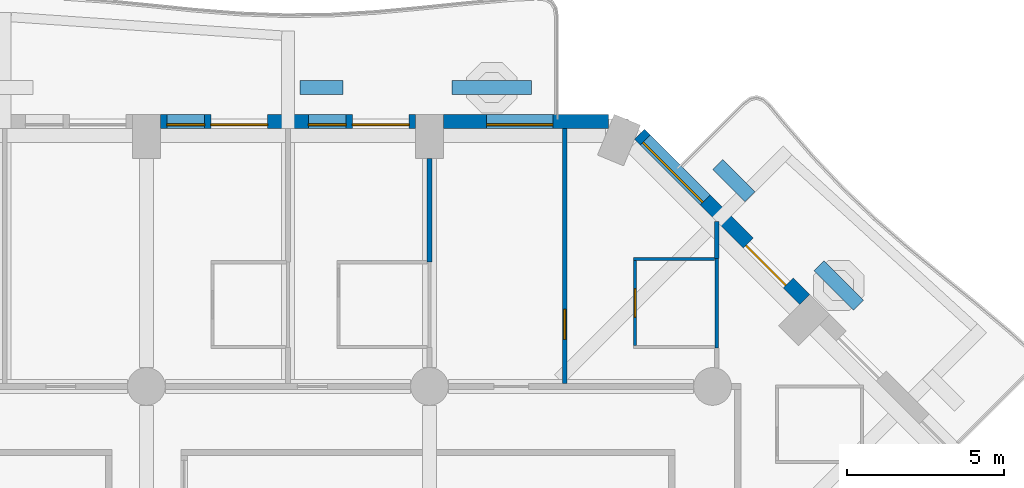
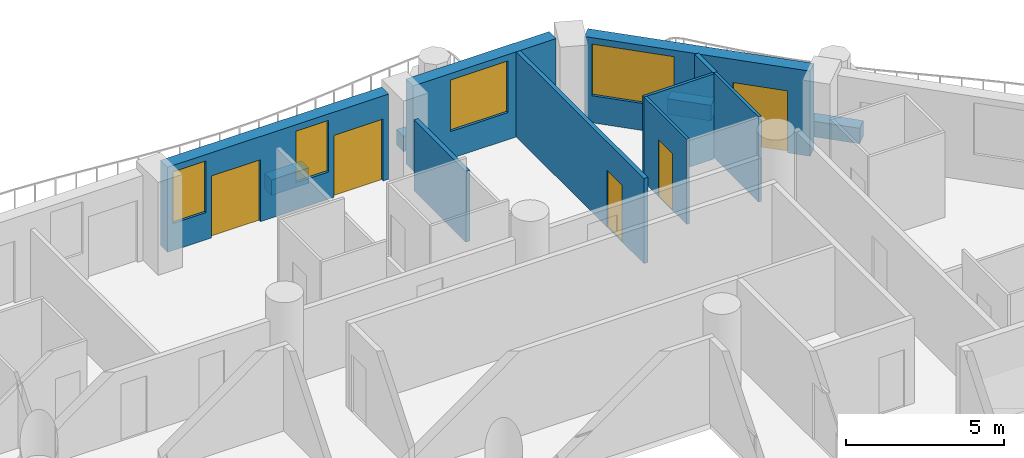
# One storey, part 10 of 20: 13 walls, 5 doors, 4 windows, 9 openings.
"""IFC4 building model written with IfcOpenShell, lengths in metres."""

from ifc_helpers import new_model, si_unit, direction, frame, frame_2d, origin, place, context, subcontext, project, spatial, rectangle, extrude, material, layer, layer_set, type_object, element, fill, save


model = new_model("IFC4")

# Units and contexts
model_context = context("Model", 3, precision=1e-05, world=origin(), true_north=direction((0.0, 1.0)))
body_context = subcontext(model_context, "Body", "Model", "MODEL_VIEW")
ifc_project = project(units=[si_unit("LENGTHUNIT", "METRE"), si_unit("AREAUNIT", "SQUARE_METRE"), si_unit("VOLUMEUNIT", "CUBIC_METRE"), si_unit("PLANEANGLEUNIT", "RADIAN"), si_unit("MASSUNIT", "GRAM", prefix="KILO")], contexts=[model_context])

# Site, building, storey
site_placement = place(None, origin())
site = spatial("IfcSite", under=ifc_project, at=site_placement, CompositionType="ELEMENT")
building_placement = place(site_placement, origin())
building = spatial("IfcBuilding", under=site, at=building_placement, Name="Cypress Arch Tower", CompositionType="ELEMENT")
storey_placement = place(building_placement, frame((0.0, 0.0, 55.5)))
storey = spatial("IfcBuildingStorey", under=building, at=storey_placement, Name="L07", CompositionType="ELEMENT", Elevation=55.5)

# Walls
ifc_material_1 = material(Name="Concrete C40/50, waterproofed", Category="concrete")
ifc_layer_1 = layer(ifc_material_1, 0.449951171875)
ifc_layer_set_1 = layer_set([ifc_layer_1], Name="Balcony planter wall PW450")
wall_type_1 = type_object("IfcWallType", Name="Balcony planter wall PW450", PredefinedType="SOLIDWALL", material=ifc_layer_set_1)
wall_1_placement = place(storey_placement, frame((19.9365234375, 20.07763671875, 0.0), z_axis=(0.0, 0.0, 1.0), x_axis=(-0.707106781187, 0.707106781187, 0.0)))
element("IfcWall", 1, at=wall_1_placement, inside=storey, type_object=wall_type_1, Name="Balcony planter wall L07-A07.2", PredefinedType="SOLIDWALL", context=body_context, shape_type="SweptSolid", body=[
    extrude(rectangle(XDim=1.780517578125, YDim=0.449951171875, at=frame_2d((0.89013671875, 0.0))), origin(), (0.0, 0.0, 1.0), 0.60009765625),
])
wall_2_placement = place(storey_placement, frame((16.485595703125, 23.528564453125, 0.0), z_axis=(0.0, 0.0, 1.0), x_axis=(-0.707022305137, 0.707191247145, 0.0)))
element("IfcWall", 2, at=wall_2_placement, inside=storey, type_object=wall_type_1, Name="Balcony planter wall L07-A07.3", PredefinedType="SOLIDWALL", context=body_context, shape_type="SweptSolid", body=[
    extrude(rectangle(XDim=1.445068359375, YDim=0.449951171875, at=frame_2d((0.72265625, 0.0))), origin(), (0.0, 0.0, 1.0), 0.60009765625),
])
wall_3_placement = place(storey_placement, frame((9.550048828125, 27.0, 0.0), z_axis=(0.0, 0.0, 1.0), x_axis=(-1.0, 0.0, 0.0)))
element("IfcWall", 3, at=wall_3_placement, inside=storey, type_object=wall_type_1, Name="Balcony planter wall L07-A08.1", PredefinedType="SOLIDWALL", context=body_context, shape_type="SweptSolid", body=[
    extrude(rectangle(XDim=2.53759765625, YDim=0.449951171875, at=frame_2d((1.268798828125, 0.0))), origin(), (0.0, 0.0, 1.0), 0.60009765625),
])
wall_4_placement = place(storey_placement, frame((3.550048828125, 27.0, 0.0), z_axis=(0.0, 0.0, 1.0), x_axis=(-1.0, 0.0, 0.0)))
element("IfcWall", 4, at=wall_4_placement, inside=storey, type_object=wall_type_1, Name="Balcony planter wall L07-A08.2", PredefinedType="SOLIDWALL", context=body_context, shape_type="SweptSolid", body=[
    extrude(rectangle(XDim=1.375, YDim=0.449951171875, at=frame_2d((0.6875, 0.0))), origin(), (0.0, 0.0, 1.0), 0.60009765625),
])

# Wall, openings, door, window
ifc_material_2 = material(Name="Brick (red buff blend)", Category="masonry")
ifc_layer_2 = layer(ifc_material_2, 0.449951171875)
ifc_layer_set_2 = layer_set([ifc_layer_2], Name="Brick pier and spandrel wall BW450")
wall_type_2 = type_object("IfcWallType", Name="Brick pier and spandrel wall BW450", PredefinedType="SOLIDWALL", material=ifc_layer_set_2)
wall_5_placement = place(storey_placement, frame((18.228759765625, 20.26513671875, 0.0), z_axis=(0.0, 0.0, 1.0), x_axis=(-0.707106781187, 0.707106781187, 0.0)))
wall_5 = element("IfcWall", 5, at=wall_5_placement, inside=storey, type_object=wall_type_2, Name="Brick wall L07 A07.1", PredefinedType="SOLIDWALL", context=body_context, shape_type="SweptSolid", body=[
    extrude(rectangle(XDim=7.423828125, YDim=0.449951171875, at=frame_2d((3.7119140625, 0.0))), origin(), (0.0, 0.0, 1.0), 3.300048828125),
])
opening_1_placement = place(wall_5_placement, frame((0.740234375, 0.0, 0.0)))
opening_1 = element("IfcOpeningElement", 6, at=opening_1_placement, cuts=wall_5, Name="Opening D-L07-A07.1.1", PredefinedType="OPENING", context=body_context, shape_type="SweptSolid", body=[
    extrude(rectangle(XDim=1.800048828125, YDim=2.39990234375, at=frame_2d((0.89990234375, 1.199951171875))), frame((0.0, 0.23486328125, 0.0), z_axis=(0.0, -1.0, 0.0), x_axis=(1.0, 0.0, 0.0)), (0.0, 0.0, 1.0), 0.469970703125),
])
opening_2_placement = place(wall_5_placement, frame((4.470703125, 0.0, 1.050048828125)))
opening_2 = element("IfcOpeningElement", 7, at=opening_2_placement, cuts=wall_5, Name="Opening W270HD", PredefinedType="OPENING", context=body_context, shape_type="SweptSolid", body=[
    extrude(rectangle(XDim=2.699951171875, YDim=2.0, at=frame_2d((1.35009765625, 1.0))), frame((0.0, 0.23486328125, 0.0), z_axis=(0.0, -1.0, 0.0), x_axis=(1.0, 0.0, 0.0)), (0.0, 0.0, 1.0), 0.469970703125),
])
ifc_material_3 = material(Name="Anodised aluminium, bronze finish, laminated low-emissivity double glazing, large-missile impact rated", Category="aluminium")
door_type_1 = type_object("IfcDoorType", Name="Balcony sliding door 1800x2400", OperationType="SLIDING_TO_LEFT", PredefinedType="DOOR", material=ifc_material_3)
door_1_placement = place(opening_1_placement, origin())
door_1 = element("IfcDoor", 8, at=door_1_placement, inside=storey, type_object=door_type_1, Name="Balcony door L07 A07.1.1", OperationType="SLIDING_TO_LEFT", OverallHeight=2.39990234375, OverallWidth=1.800048828125, PredefinedType="DOOR", context=body_context, shape_type="SweptSolid", body=[
    extrude(rectangle(XDim=1.800048828125, YDim=2.39990234375, at=frame_2d((0.89990234375, 1.199951171875))), frame((0.0, 0.1298828125, 0.0), z_axis=(0.0, -1.0, 0.0), x_axis=(1.0, 0.0, 0.0)), (0.0, 0.0, 1.0), 0.050048828125),
])
fill(opening_1, door_1)
ifc_material_4 = material(Name="Anodised aluminium, bronze finish, laminated low-emissivity double glazing, large-missile impact rated", Category="aluminium")
window_type_1 = type_object("IfcWindowType", Name="Window Hotel 2700x2000 debris-rated", PartitioningType="SINGLE_PANEL", PredefinedType="WINDOW", material=ifc_material_4)
window_1_placement = place(opening_2_placement, origin())
window_1 = element("IfcWindow", 9, at=window_1_placement, inside=storey, type_object=window_type_1, Name="Window L07 A07.1.2", OverallHeight=2.0, OverallWidth=2.699951171875, PartitioningType="SINGLE_PANEL", PredefinedType="WINDOW", context=body_context, shape_type="SweptSolid", body=[
    extrude(rectangle(XDim=2.699951171875, YDim=2.0, at=frame_2d((1.35009765625, 1.0))), frame((0.0, 0.135009765625, 0.0), z_axis=(0.0, -1.0, 0.0), x_axis=(1.0, 0.0, 0.0)), (0.0, 0.0, 1.0), 0.06005859375),
])
fill(opening_2, window_1)

# Wall, opening, window
wall_6_placement = place(storey_placement, frame((11.98876953125, 25.925048828125, 0.0), z_axis=(0.0, 0.0, 1.0), x_axis=(-1.0, 0.0, 0.0)))
wall_6 = element("IfcWall", 10, at=wall_6_placement, inside=storey, type_object=wall_type_2, Name="Brick wall L07 A08.0", PredefinedType="SOLIDWALL", context=body_context, shape_type="SweptSolid", body=[
    extrude(rectangle(XDim=5.23876953125, YDim=0.449951171875, at=frame_2d((2.619384765625, 0.0))), origin(), (0.0, 0.0, 1.0), 3.300048828125),
])
opening_3_placement = place(wall_6_placement, frame((1.769775390625, 0.0, 1.050048828125)))
opening_3 = element("IfcOpeningElement", 11, at=opening_3_placement, cuts=wall_6, Name="Opening W210HD", PredefinedType="OPENING", context=body_context, shape_type="SweptSolid", body=[
    extrude(rectangle(XDim=2.10009765625, YDim=2.0, at=frame_2d((1.050048828125, 1.0))), frame((0.0, 0.23486328125, 0.0), z_axis=(0.0, -1.0, 0.0), x_axis=(1.0, 0.0, 0.0)), (0.0, 0.0, 1.0), 0.469970703125),
])
ifc_material_5 = material(Name="Anodised aluminium, bronze finish, laminated low-emissivity double glazing, large-missile impact rated", Category="aluminium")
window_type_2 = type_object("IfcWindowType", Name="Window Hotel 2100x2000 debris-rated", PartitioningType="SINGLE_PANEL", PredefinedType="WINDOW", material=ifc_material_5)
window_2_placement = place(opening_3_placement, origin())
window_2 = element("IfcWindow", 12, at=window_2_placement, inside=storey, type_object=window_type_2, Name="Window L07 A08.0.1", OverallHeight=2.0, OverallWidth=2.10009765625, PartitioningType="SINGLE_PANEL", PredefinedType="WINDOW", context=body_context, shape_type="SweptSolid", body=[
    extrude(rectangle(XDim=2.10009765625, YDim=2.0, at=frame_2d((1.050048828125, 1.0))), frame((0.0, 0.135009765625, 0.0), z_axis=(0.0, -1.0, 0.0), x_axis=(1.0, 0.0, 0.0)), (0.0, 0.0, 1.0), 0.06005859375),
])
fill(opening_3, window_2)

# Wall, openings, doors, windows
wall_7_placement = place(storey_placement, frame((5.85009765625, 25.925048828125, 0.0), z_axis=(0.0, 0.0, 1.0), x_axis=(-1.0, 0.0, 0.0)))
wall_7 = element("IfcWall", 13, at=wall_7_placement, inside=storey, type_object=wall_type_2, Name="Brick wall L07 A08.1", PredefinedType="SOLIDWALL", context=body_context, shape_type="SweptSolid", body=[
    extrude(rectangle(XDim=8.10009765625, YDim=0.449951171875, at=frame_2d((4.050048828125, 0.0))), origin(), (0.0, 0.0, 1.0), 3.300048828125),
])
opening_4_placement = place(wall_7_placement, frame((0.199951171875, 0.0, 0.0)))
opening_4 = element("IfcOpeningElement", 14, at=opening_4_placement, cuts=wall_7, Name="Opening D-L07-A08.1.1", PredefinedType="OPENING", context=body_context, shape_type="SweptSolid", body=[
    extrude(rectangle(XDim=1.800048828125, YDim=2.39990234375, at=frame_2d((0.89990234375, 1.199951171875))), frame((0.0, 0.23486328125, 0.0), z_axis=(0.0, -1.0, 0.0), x_axis=(1.0, 0.0, 0.0)), (0.0, 0.0, 1.0), 0.469970703125),
])
opening_5_placement = place(wall_7_placement, frame((2.199951171875, 0.0, 1.050048828125)))
opening_5 = element("IfcOpeningElement", 15, at=opening_5_placement, cuts=wall_7, Name="Opening W120HD", PredefinedType="OPENING", context=body_context, shape_type="SweptSolid", body=[
    extrude(rectangle(XDim=1.199951171875, YDim=2.0, at=frame_2d((0.60009765625, 1.0))), frame((0.0, 0.23486328125, 0.0), z_axis=(0.0, -1.0, 0.0), x_axis=(1.0, 0.0, 0.0)), (0.0, 0.0, 1.0), 0.469970703125),
])
opening_6_placement = place(wall_7_placement, frame((4.699951171875, 0.0, 0.0)))
opening_6 = element("IfcOpeningElement", 16, at=opening_6_placement, cuts=wall_7, Name="Opening D-L07-A08.1.2", PredefinedType="OPENING", context=body_context, shape_type="SweptSolid", body=[
    extrude(rectangle(XDim=1.800048828125, YDim=2.39990234375, at=frame_2d((0.89990234375, 1.199951171875))), frame((0.0, 0.23486328125, 0.0), z_axis=(0.0, -1.0, 0.0), x_axis=(1.0, 0.0, 0.0)), (0.0, 0.0, 1.0), 0.469970703125),
])
opening_7_placement = place(wall_7_placement, frame((6.699951171875, 0.0, 1.050048828125)))
opening_7 = element("IfcOpeningElement", 17, at=opening_7_placement, cuts=wall_7, Name="Opening W120HD", PredefinedType="OPENING", context=body_context, shape_type="SweptSolid", body=[
    extrude(rectangle(XDim=1.199951171875, YDim=2.0, at=frame_2d((0.60009765625, 1.0))), frame((0.0, 0.23486328125, 0.0), z_axis=(0.0, -1.0, 0.0), x_axis=(1.0, 0.0, 0.0)), (0.0, 0.0, 1.0), 0.469970703125),
])
door_2_placement = place(opening_4_placement, origin())
door_2 = element("IfcDoor", 18, at=door_2_placement, inside=storey, type_object=door_type_1, Name="Balcony door L07 A08.1.1", OperationType="SLIDING_TO_LEFT", OverallHeight=2.39990234375, OverallWidth=1.800048828125, PredefinedType="DOOR", context=body_context, shape_type="SweptSolid", body=[
    extrude(rectangle(XDim=1.800048828125, YDim=2.39990234375, at=frame_2d((0.89990234375, 1.199951171875))), frame((0.0, 0.1298828125, 0.0), z_axis=(0.0, -1.0, 0.0), x_axis=(1.0, 0.0, 0.0)), (0.0, 0.0, 1.0), 0.050048828125),
])
fill(opening_4, door_2)
door_3_placement = place(opening_6_placement, origin())
door_3 = element("IfcDoor", 19, at=door_3_placement, inside=storey, type_object=door_type_1, Name="Balcony door L07 A08.1.2", OperationType="SLIDING_TO_LEFT", OverallHeight=2.39990234375, OverallWidth=1.800048828125, PredefinedType="DOOR", context=body_context, shape_type="SweptSolid", body=[
    extrude(rectangle(XDim=1.800048828125, YDim=2.39990234375, at=frame_2d((0.89990234375, 1.199951171875))), frame((0.0, 0.1298828125, 0.0), z_axis=(0.0, -1.0, 0.0), x_axis=(1.0, 0.0, 0.0)), (0.0, 0.0, 1.0), 0.050048828125),
])
fill(opening_6, door_3)
ifc_material_6 = material(Name="Anodised aluminium, bronze finish, laminated low-emissivity double glazing, large-missile impact rated", Category="aluminium")
window_type_3 = type_object("IfcWindowType", Name="Window Hotel 1200x2000 debris-rated", PartitioningType="SINGLE_PANEL", PredefinedType="WINDOW", material=ifc_material_6)
window_3_placement = place(opening_5_placement, origin())
window_3 = element("IfcWindow", 20, at=window_3_placement, inside=storey, type_object=window_type_3, Name="Window L07 A08.1.1", OverallHeight=2.0, OverallWidth=1.199951171875, PartitioningType="SINGLE_PANEL", PredefinedType="WINDOW", context=body_context, shape_type="SweptSolid", body=[
    extrude(rectangle(XDim=1.199951171875, YDim=2.0, at=frame_2d((0.60009765625, 1.0))), frame((0.0, 0.135009765625, 0.0), z_axis=(0.0, -1.0, 0.0), x_axis=(1.0, 0.0, 0.0)), (0.0, 0.0, 1.0), 0.06005859375),
])
fill(opening_5, window_3)
window_4_placement = place(opening_7_placement, origin())
window_4 = element("IfcWindow", 21, at=window_4_placement, inside=storey, type_object=window_type_3, Name="Window L07 A08.1.2", OverallHeight=2.0, OverallWidth=1.199951171875, PartitioningType="SINGLE_PANEL", PredefinedType="WINDOW", context=body_context, shape_type="SweptSolid", body=[
    extrude(rectangle(XDim=1.199951171875, YDim=2.0, at=frame_2d((0.60009765625, 1.0))), frame((0.0, 0.135009765625, 0.0), z_axis=(0.0, -1.0, 0.0), x_axis=(1.0, 0.0, 0.0)), (0.0, 0.0, 1.0), 0.06005859375),
])
fill(opening_7, window_4)

# Wall
ifc_material_7 = material(Name="Blockwork, plastered both sides", Category="masonry")
ifc_layer_3 = layer(ifc_material_7, 0.14990234375)
ifc_layer_set_3 = layer_set([ifc_layer_3], Name="Partition PW150")
wall_type_3 = type_object("IfcWallType", Name="Partition PW150", PredefinedType="PARTITIONING", material=ifc_layer_set_3)
wall_8_placement = place(storey_placement, frame((6.300048828125, 21.449951171875, 0.0), z_axis=(0.0, 0.0, 1.0), x_axis=(0.0, 1.0, 0.0)))
element("IfcWall", 22, at=wall_8_placement, inside=storey, type_object=wall_type_3, Name="Partition", PredefinedType="PARTITIONING", context=body_context, shape_type="SweptSolid", body=[
    extrude(rectangle(XDim=3.300048828125, YDim=0.14990234375, at=frame_2d((1.64990234375, 0.0))), origin(), (0.0, 0.0, 1.0), 2.75),
])

# Wall, opening, door
wall_9_placement = place(storey_placement, frame((10.60009765625, 17.60009765625, 0.0), z_axis=(0.0, 0.0, 1.0), x_axis=(0.0, 1.0, 0.0)))
wall_9 = element("IfcWall", 23, at=wall_9_placement, inside=storey, type_object=wall_type_3, Name="Partition", PredefinedType="PARTITIONING", context=body_context, shape_type="SweptSolid", body=[
    extrude(rectangle(XDim=8.099853515625, YDim=0.14990234375, at=frame_2d((4.0498046875, 0.0))), origin(), (0.0, 0.0, 1.0), 3.300048828125),
])
opening_8_placement = place(wall_9_placement, frame((1.39990234375, 0.0, 0.0)))
opening_8 = element("IfcOpeningElement", 24, at=opening_8_placement, cuts=wall_9, Name="Opening D12", PredefinedType="OPENING", context=body_context, shape_type="SweptSolid", body=[
    extrude(rectangle(XDim=0.949951171875, YDim=2.199951171875, at=frame_2d((0.47509765625, 1.10009765625))), frame((0.0, 0.0849609375, 0.0), z_axis=(0.0, -1.0, 0.0), x_axis=(1.0, 0.0, 0.0)), (0.0, 0.0, 1.0), 0.169921875),
])
ifc_material_8 = material(Name="Timber flush door", Category="wood")
door_type_2 = type_object("IfcDoorType", Name="Room door D12 950x2200", OperationType="SINGLE_SWING_LEFT", PredefinedType="DOOR", material=ifc_material_8)
door_4_placement = place(opening_8_placement, origin())
door_4 = element("IfcDoor", 25, at=door_4_placement, inside=storey, type_object=door_type_2, Name="Room door", OperationType="SINGLE_SWING_LEFT", OverallHeight=2.199951171875, OverallWidth=0.949951171875, PredefinedType="DOOR", context=body_context, shape_type="SweptSolid", body=[
    extrude(rectangle(XDim=0.949951171875, YDim=2.199951171875, at=frame_2d((0.47509765625, 1.10009765625))), frame((0.0, 0.02490234375, 0.0), z_axis=(0.0, -1.0, 0.0), x_axis=(1.0, 0.0, 0.0)), (0.0, 0.0, 1.0), 0.050048828125),
])
fill(opening_8, door_4)

# Wall
wall_10_placement = place(storey_placement, frame((15.431884765625, 21.570068359375, 0.0), z_axis=(0.0, 0.0, 1.0), x_axis=(0.0, 1.0, 0.0)))
element("IfcWall", 26, at=wall_10_placement, inside=storey, type_object=wall_type_3, Name="Partition", PredefinedType="PARTITIONING", context=body_context, shape_type="SweptSolid", body=[
    extrude(rectangle(XDim=1.173583984375, YDim=0.14990234375, at=frame_2d((0.5869140625, 0.0))), origin(), (0.0, 0.0, 1.0), 3.300048828125),
])

# Wall, opening, door
ifc_material_9 = material(Name="Moisture resistant board on steel studs, tiled", Category="steel")
ifc_layer_4 = layer(ifc_material_9, 0.10009765625)
ifc_layer_set_4 = layer_set([ifc_layer_4], Name="Wet wall PW100")
wall_type_4 = type_object("IfcWallType", Name="Wet wall PW100", PredefinedType="PARTITIONING", material=ifc_layer_set_4)
wall_11_placement = place(storey_placement, frame((12.8359375, 18.800048828125, 0.0), z_axis=(0.0, 0.0, 1.0), x_axis=(0.0, 1.0, 0.0)))
wall_11 = element("IfcWall", 27, at=wall_11_placement, inside=storey, type_object=wall_type_4, Name="Wet wall", PredefinedType="PARTITIONING", context=body_context, shape_type="SweptSolid", body=[
    extrude(rectangle(XDim=2.699951171875, YDim=0.10009765625, at=frame_2d((1.35009765625, 0.0))), origin(), (0.0, 0.0, 1.0), 3.300048828125),
])
opening_9_placement = place(wall_11_placement, frame((0.89990234375, 0.0, 0.0)))
opening_9 = element("IfcOpeningElement", 28, at=opening_9_placement, cuts=wall_11, Name="Opening D03", PredefinedType="OPENING", context=body_context, shape_type="SweptSolid", body=[
    extrude(rectangle(XDim=0.89990234375, YDim=2.199951171875, at=frame_2d((0.449951171875, 1.10009765625))), frame((0.0, 0.06005859375, 0.0), z_axis=(0.0, -1.0, 0.0), x_axis=(1.0, 0.0, 0.0)), (0.0, 0.0, 1.0), 0.1201171875),
])
ifc_material_10 = material(Name="Timber flush door, moisture resistant", Category="wood")
door_type_3 = type_object("IfcDoorType", Name="Bathroom door D03 900x2200", OperationType="SINGLE_SWING_LEFT", PredefinedType="DOOR", material=ifc_material_10)
door_5_placement = place(opening_9_placement, origin())
door_5 = element("IfcDoor", 29, at=door_5_placement, inside=storey, type_object=door_type_3, Name="Bathroom door", OperationType="SINGLE_SWING_LEFT", OverallHeight=2.199951171875, OverallWidth=0.89990234375, PredefinedType="DOOR", context=body_context, shape_type="SweptSolid", body=[
    extrude(rectangle(XDim=0.89990234375, YDim=2.199951171875, at=frame_2d((0.449951171875, 1.10009765625))), frame((0.0, 0.02490234375, 0.0), z_axis=(0.0, -1.0, 0.0), x_axis=(1.0, 0.0, 0.0)), (0.0, 0.0, 1.0), 0.050048828125),
])
fill(opening_9, door_5)

# Walls
wall_12_placement = place(storey_placement, frame((12.785888671875, 21.550048828125, 0.0), z_axis=(0.0, 0.0, 1.0), x_axis=(1.0, 0.0, 0.0)))
element("IfcWall", 30, at=wall_12_placement, inside=storey, type_object=wall_type_4, Name="Wet wall", PredefinedType="PARTITIONING", context=body_context, shape_type="SweptSolid", body=[
    extrude(rectangle(XDim=2.571044921875, YDim=0.10009765625, at=frame_2d((1.28564453125, 0.0))), origin(), (0.0, 0.0, 1.0), 3.300048828125),
])
wall_13_placement = place(storey_placement, frame((15.431884765625, 18.72998046875, 0.0), z_axis=(0.0, 0.0, 1.0), x_axis=(0.0, 1.0, 0.0)))
element("IfcWall", 31, at=wall_13_placement, inside=storey, type_object=wall_type_4, Name="Wet wall", PredefinedType="PARTITIONING", context=body_context, shape_type="SweptSolid", body=[
    extrude(rectangle(XDim=2.840087890625, YDim=0.10009765625, at=frame_2d((1.419921875, 0.0))), origin(), (0.0, 0.0, 1.0), 3.300048828125),
])

save(model, "model.ifc")
